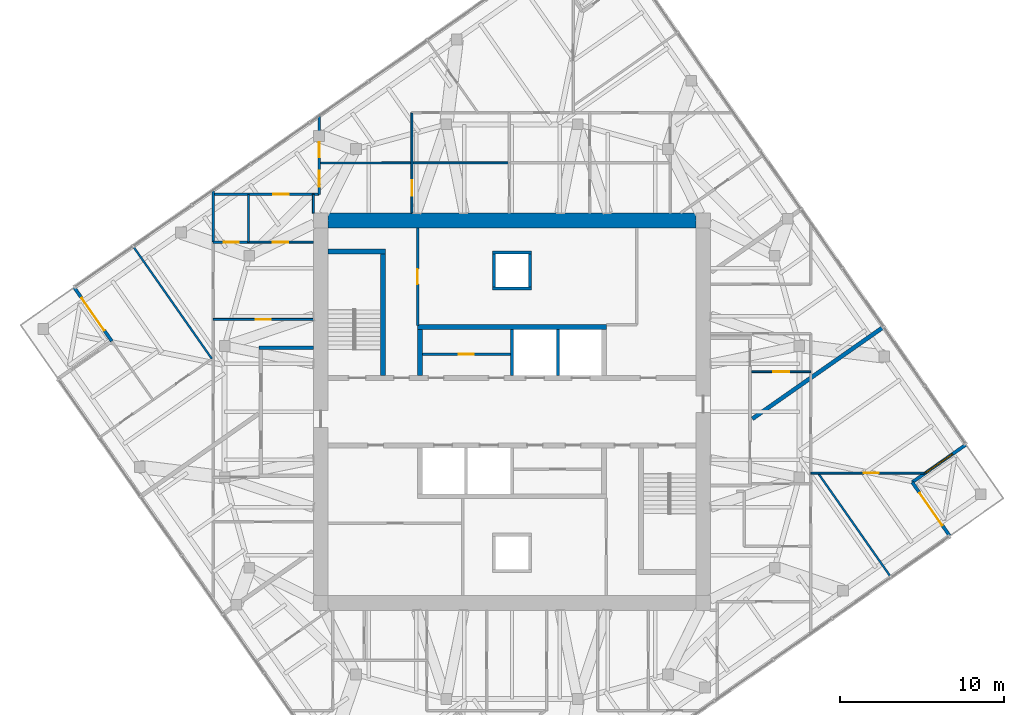
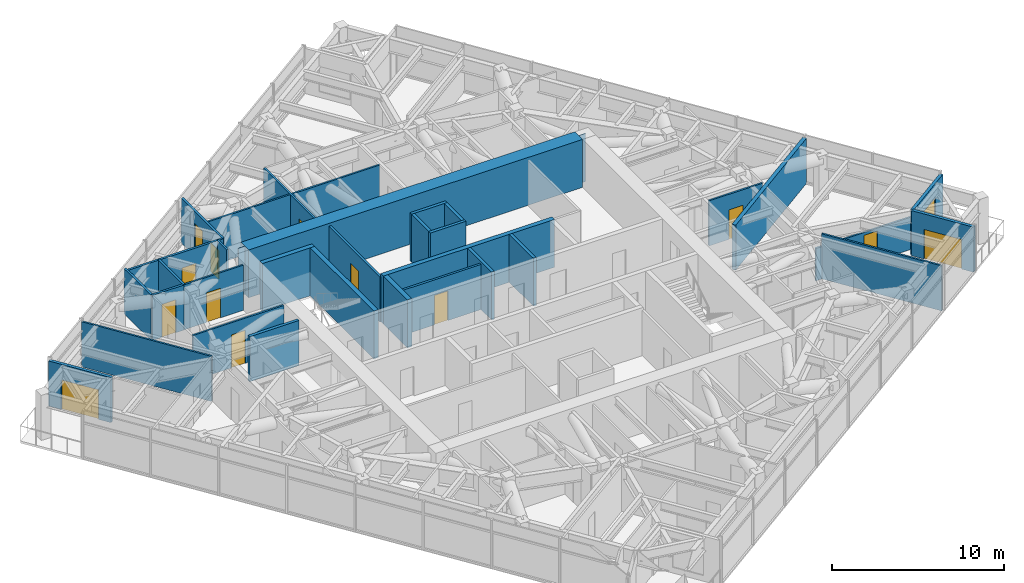
# One storey, part 12 of 15: 32 walls, 13 doors, 1 window, 14 openings.
"""IFC4 building model written with IfcOpenShell, lengths in metres."""

import ifcopenshell
import ifcopenshell.guid

model = None  # the IFC model being written
_history = None  # IfcOwnerHistory: only IFC2X3 demands one
_inside = {}  # id of a spatial element -> (the spatial element, [elements in it])
_under = {}  # id of a project, library or spatial element -> (it, [spatial elements below it])
_declared = {}  # id of a project -> (the project, [libraries it declares])
_typed = {}  # id of a type object -> (the type object, [elements of that type])
_made_of = {}  # id of a material, layer set ... -> (it, [elements and type objects made of it])


def new_model(schema):
    """Start an empty IFC model of exactly this schema.

    Asked for "IFC4X3", IfcOpenShell would pick the latest addendum, in which some entities
    have other attributes; the version numbers below select the first issue.
    IFC2X3 requires an IfcOwnerHistory on every rooted entity: one is made here for all.
    """
    global model, _history
    if schema == "IFC4X3":
        model = ifcopenshell.file(schema_version=(4, 3, 0, 0))
    else:
        model = ifcopenshell.file(schema=schema)
    _inside.clear()
    _under.clear()
    _declared.clear()
    _typed.clear()
    _made_of.clear()
    _history = None
    if model.schema == "IFC2X3":
        org = make("IfcOrganization", Name="unknown")
        user = make(
            "IfcPersonAndOrganization",
            ThePerson=make("IfcPerson", FamilyName="unknown"),
            TheOrganization=org,
        )
        app = make(
            "IfcApplication",
            ApplicationDeveloper=org,
            Version="unknown",
            ApplicationFullName="unknown",
            ApplicationIdentifier="unknown",
        )
        _history = make(
            "IfcOwnerHistory",
            OwningUser=user,
            OwningApplication=app,
            ChangeAction="ADDED",
            CreationDate=0,
        )
    return model


def make(cls, **values):
    """One entity of the class cls with the attributes given. An attribute that is None is left unset."""
    return model.create_entity(
        cls, **{name: value for name, value in values.items() if value is not None}
    )


def rooted(cls, **values):
    """An entity with a GlobalId (a new one), such as an element, a storey or a relation."""
    return make(cls, GlobalId=ifcopenshell.guid.new(), OwnerHistory=_history, **values)


def si_unit(unit_type, name, prefix=None):
    """IfcSIUnit, for example si_unit("LENGTHUNIT", "METRE", prefix="MILLI")."""
    return make("IfcSIUnit", UnitType=unit_type, Prefix=prefix, Name=name)


def assignment(units):
    """IfcUnitAssignment: the units of a project."""
    return None if units is None else make("IfcUnitAssignment", Units=units)


def point(xyz):
    """IfcCartesianPoint."""
    return None if xyz is None else make("IfcCartesianPoint", Coordinates=xyz)


def direction(xyz):
    """IfcDirection."""
    return None if xyz is None else make("IfcDirection", DirectionRatios=xyz)


def frame(location, z_axis=None, x_axis=None):
    """IfcAxis2Placement3D, a coordinate frame: its origin and axes. An axis left out is left unset."""
    return make(
        "IfcAxis2Placement3D",
        Location=point(location),
        Axis=direction(z_axis),
        RefDirection=direction(x_axis),
    )


def frame_2d(location, x_axis=None):
    """IfcAxis2Placement2D, a coordinate frame in the plane: its origin and x axis."""
    return make(
        "IfcAxis2Placement2D", Location=point(location), RefDirection=direction(x_axis)
    )


def origin():
    """The frame at (0, 0, 0) with its axes left unset."""
    return frame((0.0, 0.0, 0.0))


def place(relative_to, where):
    """IfcLocalPlacement: puts the frame where relative to a parent placement (None: the world)."""
    return make(
        "IfcLocalPlacement", PlacementRelTo=relative_to, RelativePlacement=where
    )


def context(
    kind, dimensions, precision=None, world=None, true_north=None, identifier=None
):
    """IfcGeometricRepresentationContext, for example the 3D "Model" context."""
    return make(
        "IfcGeometricRepresentationContext",
        ContextIdentifier=identifier,
        ContextType=kind,
        CoordinateSpaceDimension=dimensions,
        Precision=precision,
        WorldCoordinateSystem=world,
        TrueNorth=true_north,
    )


def subcontext(parent, identifier, kind, view, scale=None):
    """IfcGeometricRepresentationSubContext, for example "Body" below "Model"."""
    return make(
        "IfcGeometricRepresentationSubContext",
        ContextIdentifier=identifier,
        ContextType=kind,
        ParentContext=parent,
        TargetScale=scale,
        TargetView=view,
    )


def project(units=None, contexts=None):
    """IfcProject with its units and contexts."""
    return rooted(
        "IfcProject",
        Name="project",
        RepresentationContexts=contexts,
        UnitsInContext=assignment(units),
    )


def spatial(cls, under=None, at=None, **own):
    """A site, building, storey or space (cls), placed at a placement, below another one or the project."""
    s = rooted(cls, ObjectPlacement=at, **own)
    if under is not None:
        _under.setdefault(under.id(), (under, []))[1].append(s)
    return s


def polyline(points):
    """IfcPolyline through the points."""
    return make("IfcPolyline", Points=[point(p) for p in points])


def profile(cls, at=None, kind="AREA", **sizes):
    """A parametric profile (cls). Its sizes go by their IFC names, for example OverallWidth=200.0."""
    return make(cls, ProfileType=kind, Position=at, **sizes)


def rectangle(**sizes):
    """IfcRectangleProfileDef."""
    return profile("IfcRectangleProfileDef", **sizes)


def outline(outer, holes=None, kind="AREA"):
    """IfcArbitraryClosedProfileDef: a profile drawn as a closed curve; with holes, ...WithVoids."""
    if holes is None:
        return make("IfcArbitraryClosedProfileDef", ProfileType=kind, OuterCurve=outer)
    return make(
        "IfcArbitraryProfileDefWithVoids",
        ProfileType=kind,
        OuterCurve=outer,
        InnerCurves=holes,
    )


def extrude(swept, where, along, depth):
    """IfcExtrudedAreaSolid: the profile swept, set in the frame where, extruded along a direction by depth."""
    return make(
        "IfcExtrudedAreaSolid",
        SweptArea=swept,
        Position=where,
        ExtrudedDirection=direction(along),
        Depth=depth,
    )


def shape(context_of_items, identifier, shape_type, items):
    """IfcShapeRepresentation: the items that make up one representation, for example the "Body"."""
    return make(
        "IfcShapeRepresentation",
        ContextOfItems=context_of_items,
        RepresentationIdentifier=identifier,
        RepresentationType=shape_type,
        Items=items,
    )


def material(Name=None, Category=None):
    """IfcMaterial."""
    return make("IfcMaterial", Name=Name, Category=Category)


def layer(
    of_material, thickness, ventilated=None, Name=None, Category=None, Priority=None
):
    """IfcMaterialLayer: one layer of a wall or slab, of a material (None: an air gap)."""
    return make(
        "IfcMaterialLayer",
        Material=of_material,
        LayerThickness=thickness,
        IsVentilated=ventilated,
        Name=Name,
        Category=Category,
        Priority=Priority,
    )


def layer_set(layers, Name=None):
    """IfcMaterialLayerSet."""
    return make("IfcMaterialLayerSet", MaterialLayers=layers, LayerSetName=Name)


def made_of(thing, what):
    """Note that an element or type object is made of a material, layer set ...; save() writes the relation."""
    if what is not None:
        _made_of.setdefault(what.id(), (what, []))[1].append(thing)
    return thing


def type_object(cls, material=None, **own):
    """A type object (cls), such as IfcWallType, which elements share."""
    return made_of(rooted(cls, **own), material)


def element(
    cls,
    number,
    at=None,
    inside=None,
    cuts=None,
    type_object=None,
    material=None,
    context=None,
    identifier="Body",
    shape_type=None,
    held_by="IfcProductDefinitionShape",
    body=None,
    shapes=None,
    **own,
):
    """One element of the class cls, such as IfcWall. Its Tag is "e" and its number.

    at: its placement. inside: the storey or other place that contains it. cuts: it is an
    opening in that element (IfcRelVoidsElement). A single representation is given by context,
    identifier, shape_type and body (its items); several are given by shapes. held_by: the class
    of the entity that holds the representations. save() writes the other relations.
    """
    e = rooted(cls, Tag="e%d" % number, ObjectPlacement=at, **own)
    if body is not None:
        shapes = [shape(context, identifier, shape_type, body)]
    if shapes is not None:
        e.Representation = make(held_by, Representations=shapes)
    if inside is not None:
        _inside.setdefault(inside.id(), (inside, []))[1].append(e)
    if cuts is not None:
        rooted(
            "IfcRelVoidsElement", RelatingBuildingElement=cuts, RelatedOpeningElement=e
        )
    if type_object is not None:
        _typed.setdefault(type_object.id(), (type_object, []))[1].append(e)
    return made_of(e, material)


def fill(opening, filler):
    """IfcRelFillsElement: the door or window that sits in an opening."""
    return rooted(
        "IfcRelFillsElement",
        RelatingOpeningElement=opening,
        RelatedBuildingElement=filler,
    )


def aggregate(whole, parts):
    """IfcRelAggregates: a whole, such as a stair, and the parts it consists of."""
    return rooted("IfcRelAggregates", RelatingObject=whole, RelatedObjects=parts)


def save(model, path):
    """Write the relations noted so far, then the file.

    IfcRelAggregates (storeys below a building ...), IfcRelContainedInSpatialStructure (elements
    in a storey), IfcRelDefinesByType, IfcRelAssociatesMaterial and IfcRelDeclares: one each for
    every whole, place, type object, material and project.
    """
    for whole, parts in _under.values():
        aggregate(whole, parts)
    for where, things in _inside.values():
        rooted(
            "IfcRelContainedInSpatialStructure",
            RelatedElements=things,
            RelatingStructure=where,
        )
    for kind, things in _typed.values():
        rooted("IfcRelDefinesByType", RelatedObjects=things, RelatingType=kind)
    for what, things in _made_of.values():
        rooted("IfcRelAssociatesMaterial", RelatedObjects=things, RelatingMaterial=what)
    for by, libraries in _declared.values():
        rooted("IfcRelDeclares", RelatingContext=by, RelatedDefinitions=libraries)
    model.write(path)


model = new_model("IFC4")

# Units and contexts
model_context = context("Model", 3, precision=1e-05, world=origin(), true_north=direction((0.0, 1.0)))
body_context = subcontext(model_context, "Body", "Model", "MODEL_VIEW")
ifc_project = project(units=[si_unit("LENGTHUNIT", "METRE"), si_unit("AREAUNIT", "SQUARE_METRE"), si_unit("VOLUMEUNIT", "CUBIC_METRE"), si_unit("PLANEANGLEUNIT", "RADIAN"), si_unit("MASSUNIT", "GRAM", prefix="KILO")], contexts=[model_context])

# Site, building, storey
site_placement = place(None, origin())
site = spatial("IfcSite", under=ifc_project, at=site_placement, CompositionType="ELEMENT")
building_placement = place(site_placement, origin())
building = spatial("IfcBuilding", under=site, at=building_placement, Name="Torsade Residences", CompositionType="ELEMENT")
storey_placement = place(building_placement, frame((0.0, 0.0, 264.199951171875)))
storey = spatial("IfcBuildingStorey", under=building, at=storey_placement, Name="L73", CompositionType="ELEMENT", Elevation=264.199951171875)

# Walls
ifc_material_1 = material(Name="Concrete 80 MPa", Category="concrete")
ifc_layer_1 = layer(ifc_material_1, 0.300048828125)
ifc_layer_set_1 = layer_set([ifc_layer_1], Name="Concrete 80 MPa")
wall_type_1 = type_object("IfcWallType", Name="CORE INTERNAL WALL 300", PredefinedType="SHEAR", material=ifc_layer_set_1)
wall_1_placement = place(storey_placement, frame((34.25, 35.14990234375, 0.0), z_axis=(0.0, 0.0, 1.0), x_axis=(1.0, 0.0, 0.0)))
element("IfcWall", 1, at=wall_1_placement, inside=storey, type_object=wall_type_1, Name="Core wall BN L73", PredefinedType="SHEAR", context=body_context, shape_type="SweptSolid", body=[
    extrude(rectangle(XDim=11.5, YDim=0.300048828125, at=frame_2d((5.75, 0.0))), origin(), (0.0, 0.0, 1.0), 3.400146484375),
])
wall_2_placement = place(storey_placement, frame((34.39990234375, 32.199951171875, 0.0), z_axis=(0.0, 0.0, 1.0), x_axis=(0.0, 1.0, 0.0)))
element("IfcWall", 2, at=wall_2_placement, inside=storey, type_object=wall_type_1, Name="Core wall DN0 L73", PredefinedType="SHEAR", context=body_context, shape_type="SweptSolid", body=[
    extrude(rectangle(XDim=2.800048828125, YDim=0.300048828125, at=frame_2d((1.39990234375, 0.0))), origin(), (0.0, 0.0, 1.0), 3.400146484375),
])
wall_3_placement = place(storey_placement, frame((32.14990234375, 32.199951171875, 0.0), z_axis=(0.0, 0.0, 1.0), x_axis=(0.0, 1.0, 0.0)))
element("IfcWall", 3, at=wall_3_placement, inside=storey, type_object=wall_type_1, Name="Core wall ST1E L73", PredefinedType="SHEAR", context=body_context, shape_type="SweptSolid", body=[
    extrude(rectangle(XDim=7.699951171875, YDim=0.300048828125, at=frame_2d((3.85009765625, 0.0))), origin(), (0.0, 0.0, 1.0), 3.400146484375),
])
wall_4_placement = place(storey_placement, frame((28.800048828125, 39.75, 0.0), z_axis=(0.0, 0.0, 1.0), x_axis=(1.0, 0.0, 0.0)))
element("IfcWall", 4, at=wall_4_placement, inside=storey, type_object=wall_type_1, Name="Core wall ST1N L73", PredefinedType="SHEAR", context=body_context, shape_type="SweptSolid", body=[
    extrude(rectangle(XDim=3.5, YDim=0.300048828125, at=frame_2d((1.75, 0.0))), origin(), (0.0, 0.0, 1.0), 3.400146484375),
])
ifc_material_2 = material(Name="Concrete 80 MPa", Category="concrete")
ifc_layer_2 = layer(ifc_material_2, 0.89990234375)
ifc_layer_set_2 = layer_set([ifc_layer_2], Name="Concrete 80 MPa")
wall_type_2 = type_object("IfcWallType", Name="CORE WALL 900", PredefinedType="SHEAR", material=ifc_layer_set_2)
wall_5_placement = place(storey_placement, frame((28.800048828125, 41.64990234375, 0.0), z_axis=(0.0, 0.0, 1.0), x_axis=(1.0, 0.0, 0.0)))
element("IfcWall", 5, at=wall_5_placement, inside=storey, type_object=wall_type_2, Name="Core wall N L73", PredefinedType="SHEAR", context=body_context, shape_type="SweptSolid", body=[
    extrude(outline(polyline([(0.0, -0.449951171875), (22.39990234375, -0.449951171875), (22.39990234375, -0.02490234375), (22.849853515625, -0.02490234375), (22.849853515625, 0.02490234375), (22.39990234375, 0.02490234375), (22.39990234375, 0.449951171875), (0.0, 0.449951171875), (0.0, 0.02490234375), (-0.449951171875, 0.02490234375), (-0.449951171875, -0.02490234375), (0.0, -0.02490234375), (0.0, -0.449951171875)])), origin(), (0.0, 0.0, 1.0), 3.400146484375),
])
ifc_material_3 = material(Name="Plasterboard on steel stud", Category="steel")
ifc_layer_3 = layer(ifc_material_3, 0.199951171875)
ifc_layer_set_3 = layer_set([ifc_layer_3], Name="Plasterboard on steel stud")
wall_type_3 = type_object("IfcWallType", Name="CORRIDOR WALL 200", PredefinedType="PARTITIONING", material=ifc_layer_set_3)
wall_6_placement = place(storey_placement, frame((27.89990234375, 33.89990234375, 0.0), z_axis=(0.0, 0.0, 1.0), x_axis=(-1.0, 0.0, 0.0)))
element("IfcWall", 6, at=wall_6_placement, inside=storey, type_object=wall_type_3, Name="Corridor wall L73", PredefinedType="PARTITIONING", context=body_context, shape_type="SweptSolid", body=[
    extrude(rectangle(XDim=3.2998046875, YDim=0.199951171875, at=frame_2d((1.64990234375, 0.0))), origin(), (0.0, 0.0, 1.0), 3.199951171875),
])
ifc_material_4 = material(Name="Reinforced blockwork", Category="masonry")
ifc_layer_4 = layer(ifc_material_4, 0.199951171875)
ifc_layer_set_4 = layer_set([ifc_layer_4], Name="Reinforced blockwork")
wall_type_4 = type_object("IfcWallType", Name="LIFT SHAFT DIVIDING WALL 200", PredefinedType="SOLIDWALL", material=ifc_layer_set_4)
for number, where, z_axis, x_axis, name in (
    (7, (40.0, 32.199951171875, 0.0), (0.0, 0.0, 1.0), (0.0, 1.0, 0.0), "Core wall DN2 L73"),
    (8, (42.800048828125, 32.199951171875, 0.0), (0.0, 0.0, 1.0), (0.0, 1.0, 0.0), "Core wall DN3 L73"),
):
    element("IfcWall", number, at=place(storey_placement, frame(where, z_axis=z_axis, x_axis=x_axis)), inside=storey, type_object=wall_type_4, Name=name, PredefinedType="SOLIDWALL", context=body_context, shape_type="SweptSolid", body=[
        extrude(rectangle(XDim=2.800048828125, YDim=0.199951171875, at=frame_2d((1.39990234375, 0.0))), origin(), (0.0, 0.0, 1.0), 3.400146484375),
    ])

# Wall, opening, door
ifc_material_5 = material(Name="Plasterboard on steel stud", Category="steel")
ifc_layer_5 = layer(ifc_material_5, 0.1201171875)
ifc_layer_set_5 = layer_set([ifc_layer_5], Name="Plasterboard on steel stud")
wall_type_5 = type_object("IfcWallType", Name="PARTITION 120", PredefinedType="PARTITIONING", material=ifc_layer_set_5)
wall_7_placement = place(storey_placement, frame((65.106201171875, 26.264892578125, 0.0), z_axis=(0.0, 0.0, 1.0), x_axis=(-1.0, 0.0, 0.0)))
wall_7 = element("IfcWall", 9, at=wall_7_placement, inside=storey, type_object=wall_type_5, Name="Partition L73", PredefinedType="PARTITIONING", context=body_context, shape_type="SweptSolid", body=[
    extrude(rectangle(XDim=6.90625, YDim=0.1201171875, at=frame_2d((3.453125, 0.0))), origin(), (0.0, 0.0, 1.0), 2.300048828125),
])
opening_1_placement = place(wall_7_placement, frame((2.769775390625, 0.0, 0.0)))
opening_1 = element("IfcOpeningElement", 10, at=opening_1_placement, cuts=wall_7, Name="Opening D02L", PredefinedType="OPENING", context=body_context, shape_type="SweptSolid", body=[
    extrude(rectangle(XDim=0.919921875, YDim=2.10009765625, at=frame_2d((0.4599609375, 1.050048828125))), frame((0.0, 0.070068359375, 0.0), z_axis=(0.0, -1.0, 0.0), x_axis=(1.0, 0.0, 0.0)), (0.0, 0.0, 1.0), 0.14013671875),
])
ifc_material_6 = material(Name="Hollow-core timber door", Category="wood")
door_type_1 = type_object("IfcDoorType", Name="INTERNAL DOOR 920x2100", OperationType="NOTDEFINED", PredefinedType="DOOR", material=ifc_material_6)
door_1_placement = place(opening_1_placement, origin())
door_1 = element("IfcDoor", 11, at=door_1_placement, inside=storey, type_object=door_type_1, Name="Door Living room to Bedroom 3", OperationType="SINGLE_SWING_RIGHT", OverallHeight=2.10009765625, OverallWidth=0.919921875, PredefinedType="DOOR", context=body_context, shape_type="SweptSolid", body=[
    extrude(rectangle(XDim=0.919921875, YDim=2.10009765625, at=frame_2d((0.4599609375, 1.050048828125))), frame((0.0, 0.02490234375, 0.0), z_axis=(0.0, -1.0, 0.0), x_axis=(1.0, 0.0, 0.0)), (0.0, 0.0, 1.0), 0.050048828125),
])
fill(opening_1, door_1)

# Wall
wall_8_placement = place(storey_placement, frame((63.060302734375, 19.94921875, 0.0), z_axis=(0.0, 0.0, 1.0), x_axis=(-0.573562225439, 0.819161994693, 0.0)))
element("IfcWall", 12, at=wall_8_placement, inside=storey, type_object=wall_type_5, Name="Partition L73", PredefinedType="PARTITIONING", context=body_context, shape_type="SweptSolid", body=[
    extrude(rectangle(XDim=7.7099609375, YDim=0.1201171875, at=frame_2d((3.85498046875, 0.0))), origin(), (0.0, 0.0, 1.0), 3.199951171875),
])

# Wall, opening, door
wall_9_placement = place(storey_placement, frame((58.199951171875, 32.434326171875, 0.0), z_axis=(0.0, 0.0, 1.0), x_axis=(-1.0, 0.0, 0.0)))
wall_9 = element("IfcWall", 13, at=wall_9_placement, inside=storey, type_object=wall_type_5, Name="Partition L73", PredefinedType="PARTITIONING", context=body_context, shape_type="SweptSolid", body=[
    extrude(rectangle(XDim=3.599853515625, YDim=0.1201171875, at=frame_2d((1.7998046875, 0.0))), origin(), (0.0, 0.0, 1.0), 3.199951171875),
])
opening_2_placement = place(wall_9_placement, frame((1.320068359375, 0.0, 0.0)))
opening_2 = element("IfcOpeningElement", 14, at=opening_2_placement, cuts=wall_9, Name="Opening D05", PredefinedType="OPENING", context=body_context, shape_type="SweptSolid", body=[
    extrude(rectangle(XDim=0.9599609375, YDim=2.10009765625, at=frame_2d((0.47998046875, 1.050048828125))), frame((0.0, 0.070068359375, 0.0), z_axis=(0.0, -1.0, 0.0), x_axis=(1.0, 0.0, 0.0)), (0.0, 0.0, 1.0), 0.14013671875),
])
ifc_material_7 = material(Name="Hollow-core timber door in a steel cavity frame", Category="steel")
door_type_2 = type_object("IfcDoorType", Name="BATHROOM CAVITY SLIDING DOOR 960", OperationType="SLIDING_TO_LEFT", PredefinedType="DOOR", material=ifc_material_7)
door_2_placement = place(opening_2_placement, origin())
door_2 = element("IfcDoor", 15, at=door_2_placement, inside=storey, type_object=door_type_2, Name="Door Kitchen and dining to Bathroom", OperationType="SLIDING_TO_LEFT", OverallHeight=2.10009765625, OverallWidth=0.9599609375, PredefinedType="DOOR", context=body_context, shape_type="SweptSolid", body=[
    extrude(rectangle(XDim=0.9599609375, YDim=2.10009765625, at=frame_2d((0.47998046875, 1.050048828125))), frame((0.0, 0.02490234375, 0.0), z_axis=(0.0, -1.0, 0.0), x_axis=(1.0, 0.0, 0.0)), (0.0, 0.0, 1.0), 0.050048828125),
])
fill(opening_2, door_2)

wall_10_placement = place(storey_placement, frame((21.800048828125, 35.619140625, 0.0), z_axis=(0.0, 0.0, 1.0), x_axis=(1.0, 0.0, 0.0)))
wall_10 = element("IfcWall", 16, at=wall_10_placement, inside=storey, type_object=wall_type_5, Name="Partition L73", PredefinedType="PARTITIONING", context=body_context, shape_type="SweptSolid", body=[
    extrude(rectangle(XDim=6.099853515625, YDim=0.1201171875, at=frame_2d((3.0498046875, 0.0))), origin(), (0.0, 0.0, 1.0), 3.199951171875),
])
opening_3_placement = place(wall_10_placement, frame((2.590087890625, 0.0, 0.0)))
opening_3 = element("IfcOpeningElement", 17, at=opening_3_placement, cuts=wall_10, Name="Opening D02", PredefinedType="OPENING", context=body_context, shape_type="SweptSolid", body=[
    extrude(rectangle(XDim=0.919921875, YDim=2.340087890625, at=frame_2d((0.4599609375, 1.169921875))), frame((0.0, 0.070068359375, 0.0), z_axis=(0.0, -1.0, 0.0), x_axis=(1.0, 0.0, 0.0)), (0.0, 0.0, 1.0), 0.14013671875),
])
ifc_material_8 = material(Name="Hollow-core timber door", Category="wood")
door_type_3 = type_object("IfcDoorType", Name="INTERNAL DOOR 920x2340", OperationType="NOTDEFINED", PredefinedType="DOOR", material=ifc_material_8)
door_3_placement = place(opening_3_placement, origin())
door_3 = element("IfcDoor", 18, at=door_3_placement, inside=storey, type_object=door_type_3, Name="Door Kitchen and dining to Scullery", OperationType="SINGLE_SWING_LEFT", OverallHeight=2.340087890625, OverallWidth=0.919921875, PredefinedType="DOOR", context=body_context, shape_type="SweptSolid", body=[
    extrude(rectangle(XDim=0.919921875, YDim=2.340087890625, at=frame_2d((0.4599609375, 1.169921875))), frame((0.0, 0.02490234375, 0.0), z_axis=(0.0, -1.0, 0.0), x_axis=(1.0, 0.0, 0.0)), (0.0, 0.0, 1.0), 0.050048828125),
])
fill(opening_3, door_3)

wall_11_placement = place(storey_placement, frame((23.901611328125, 40.328125, 0.0), z_axis=(0.0, 0.0, 1.0), x_axis=(1.0, 0.0, 0.0)))
wall_11 = element("IfcWall", 19, at=wall_11_placement, inside=storey, type_object=wall_type_5, Name="Partition L73", PredefinedType="PARTITIONING", context=body_context, shape_type="SweptSolid", body=[
    extrude(rectangle(XDim=3.998291015625, YDim=0.1201171875, at=frame_2d((1.9990234375, 0.0))), origin(), (0.0, 0.0, 1.0), 3.199951171875),
])
opening_4_placement = place(wall_11_placement, frame((1.51904296875, 0.0, 0.0)))
opening_4 = element("IfcOpeningElement", 20, at=opening_4_placement, cuts=wall_11, Name="Opening D05", PredefinedType="OPENING", context=body_context, shape_type="SweptSolid", body=[
    extrude(rectangle(XDim=0.9599609375, YDim=2.10009765625, at=frame_2d((0.47998046875, 1.050048828125))), frame((0.0, 0.070068359375, 0.0), z_axis=(0.0, -1.0, 0.0), x_axis=(1.0, 0.0, 0.0)), (0.0, 0.0, 1.0), 0.14013671875),
])
door_4_placement = place(opening_4_placement, origin())
door_4 = element("IfcDoor", 21, at=door_4_placement, inside=storey, type_object=door_type_2, Name="Door Scullery to WC", OperationType="SLIDING_TO_LEFT", OverallHeight=2.10009765625, OverallWidth=0.9599609375, PredefinedType="DOOR", context=body_context, shape_type="SweptSolid", body=[
    extrude(rectangle(XDim=0.9599609375, YDim=2.10009765625, at=frame_2d((0.47998046875, 1.050048828125))), frame((0.0, 0.02490234375, 0.0), z_axis=(0.0, -1.0, 0.0), x_axis=(1.0, 0.0, 0.0)), (0.0, 0.0, 1.0), 0.050048828125),
])
fill(opening_4, door_4)

# Wall
wall_12_placement = place(storey_placement, frame((27.89990234375, 42.10009765625, 0.0), z_axis=(0.0, 0.0, 1.0), x_axis=(0.0, 1.0, 0.0)))
element("IfcWall", 22, at=wall_12_placement, inside=storey, type_object=wall_type_5, Name="Partition L73", PredefinedType="PARTITIONING", context=body_context, shape_type="SweptSolid", body=[
    extrude(rectangle(XDim=1.13818359375, YDim=0.1201171875, at=frame_2d((0.569091796875, 0.0))), origin(), (0.0, 0.0, 1.0), 3.199951171875),
])

# Wall, opening, door
wall_13_placement = place(storey_placement, frame((33.906982421875, 48.199951171875, 0.0), z_axis=(0.0, 0.0, 1.0), x_axis=(0.0, -1.0, 0.0)))
wall_13 = element("IfcWall", 23, at=wall_13_placement, inside=storey, type_object=wall_type_5, Name="Partition L73", PredefinedType="PARTITIONING", context=body_context, shape_type="SweptSolid", body=[
    extrude(rectangle(XDim=6.099853515625, YDim=0.1201171875, at=frame_2d((3.0498046875, 0.0))), origin(), (0.0, 0.0, 1.0), 3.199951171875),
])
opening_5_placement = place(wall_13_placement, frame((4.095947265625, 0.0, 0.0)))
opening_5 = element("IfcOpeningElement", 24, at=opening_5_placement, cuts=wall_13, Name="Opening D05", PredefinedType="OPENING", context=body_context, shape_type="SweptSolid", body=[
    extrude(rectangle(XDim=0.9599609375, YDim=2.10009765625, at=frame_2d((0.47998046875, 1.050048828125))), frame((0.0, 0.070068359375, 0.0), z_axis=(0.0, -1.0, 0.0), x_axis=(1.0, 0.0, 0.0)), (0.0, 0.0, 1.0), 0.14013671875),
])
door_5_placement = place(opening_5_placement, origin())
door_5 = element("IfcDoor", 25, at=door_5_placement, inside=storey, type_object=door_type_2, Name="Door Bathroom to Dressing room 2", OperationType="SLIDING_TO_LEFT", OverallHeight=2.10009765625, OverallWidth=0.9599609375, PredefinedType="DOOR", context=body_context, shape_type="SweptSolid", body=[
    extrude(rectangle(XDim=0.9599609375, YDim=2.10009765625, at=frame_2d((0.47998046875, 1.050048828125))), frame((0.0, 0.02490234375, 0.0), z_axis=(0.0, -1.0, 0.0), x_axis=(1.0, 0.0, 0.0)), (0.0, 0.0, 1.0), 0.050048828125),
])
fill(opening_5, door_5)

# Walls
wall_14_placement = place(storey_placement, frame((28.255126953125, 45.148193359375, 0.0), z_axis=(0.0, 0.0, 1.0), x_axis=(0.99999998913, 0.000147442917, 0.0)))
element("IfcWall", 26, at=wall_14_placement, inside=storey, type_object=wall_type_5, Name="Partition L73", PredefinedType="PARTITIONING", context=body_context, shape_type="SweptSolid", body=[
    extrude(rectangle(XDim=11.5908203125, YDim=0.1201171875, at=frame_2d((5.79541015625, 0.0))), origin(), (0.0, 0.0, 1.0), 3.199951171875),
])
wall_15_placement = place(storey_placement, frame((16.939697265625, 40.05078125, 0.0), z_axis=(0.0, 0.0, 1.0), x_axis=(0.573576357466, -0.819152099525, 0.0)))
element("IfcWall", 27, at=wall_15_placement, inside=storey, type_object=wall_type_5, Name="Partition L73", PredefinedType="PARTITIONING", context=body_context, shape_type="SweptSolid", body=[
    extrude(rectangle(XDim=8.3349609375, YDim=0.1201171875, at=frame_2d((4.16748046875, 0.0))), origin(), (0.0, 0.0, 1.0), 3.199951171875),
])
ifc_material_9 = material(Name="Masonry-lined stud party wall", Category="masonry")
ifc_layer_6 = layer(ifc_material_9, 0.25)
ifc_layer_set_6 = layer_set([ifc_layer_6], Name="Masonry-lined stud party wall")
wall_type_6 = type_object("IfcWallType", Name="PARTY WALL 250", PredefinedType="PARTITIONING", material=ifc_layer_set_6)
wall_16_placement = place(storey_placement, frame((62.630615234375, 35.164306640625, 0.0), z_axis=(0.0, 0.0, 1.0), x_axis=(-0.81915902312, -0.573566469418, 0.0)))
element("IfcWall", 28, at=wall_16_placement, inside=storey, type_object=wall_type_6, Name="Party wall L73", PredefinedType="PARTITIONING", context=body_context, shape_type="SweptSolid", body=[
    extrude(rectangle(XDim=9.755859375, YDim=0.25, at=frame_2d((4.8779296875, 0.0))), origin(), (0.0, 0.0, 1.0), 3.199951171875),
])
ifc_material_10 = material(Name="Reinforced blockwork", Category="masonry")
ifc_layer_7 = layer(ifc_material_10, 0.199951171875)
ifc_layer_set_7 = layer_set([ifc_layer_7], Name="Reinforced blockwork")
wall_type_7 = type_object("IfcWallType", Name="RISER SHAFT WALL 200", PredefinedType="SOLIDWALL", material=ifc_layer_set_7)
for number, where, z_axis, x_axis, name in (
    (29, (38.89990234375, 37.60009765625, 0.0), (0.0, 0.0, 1.0), (0.0, 1.0, 0.0), "Core wall RS1a L73"),
    (30, (41.10009765625, 37.60009765625, 0.0), (0.0, 0.0, 1.0), (0.0, 1.0, 0.0), "Core wall RS1b L73"),
):
    element("IfcWall", number, at=place(storey_placement, frame(where, z_axis=z_axis, x_axis=x_axis)), inside=storey, type_object=wall_type_7, Name=name, PredefinedType="SOLIDWALL", context=body_context, shape_type="SweptSolid", body=[
        extrude(rectangle(XDim=2.0, YDim=0.199951171875, at=frame_2d((1.0, 0.0))), origin(), (0.0, 0.0, 1.0), 3.400146484375),
    ])
for number, where, z_axis, x_axis, name in (
    (31, (38.800048828125, 37.5, 0.0), (0.0, 0.0, 1.0), (1.0, 0.0, 0.0), "Core wall RS1c L73"),
    (32, (38.800048828125, 39.699951171875, 0.0), (0.0, 0.0, 1.0), (1.0, 0.0, 0.0), "Core wall RS1d L73"),
):
    element("IfcWall", number, at=place(storey_placement, frame(where, z_axis=z_axis, x_axis=x_axis)), inside=storey, type_object=wall_type_7, Name=name, PredefinedType="SOLIDWALL", context=body_context, shape_type="SweptSolid", body=[
        extrude(rectangle(XDim=2.39990234375, YDim=0.199951171875, at=frame_2d((1.199951171875, 0.0))), origin(), (0.0, 0.0, 1.0), 3.400146484375),
    ])

# Wall, opening, door
ifc_material_11 = material(Name="Reinforced blockwork", Category="masonry")
ifc_layer_8 = layer(ifc_material_11, 0.14990234375)
ifc_layer_set_8 = layer_set([ifc_layer_8], Name="Reinforced blockwork")
wall_type_8 = type_object("IfcWallType", Name="SERVICE ROOM WALL 150", PredefinedType="SOLIDWALL", material=ifc_layer_set_8)
wall_17_placement = place(storey_placement, frame((34.25, 41.199951171875, 0.0), z_axis=(0.0, 0.0, 1.0), x_axis=(0.0, -1.0, 0.0)))
wall_17 = element("IfcWall", 33, at=wall_17_placement, inside=storey, type_object=wall_type_8, Name="Service room wall L73", PredefinedType="SOLIDWALL", context=body_context, shape_type="SweptSolid", body=[
    extrude(rectangle(XDim=5.949951171875, YDim=0.14990234375, at=frame_2d((2.97509765625, 0.0))), origin(), (0.0, 0.0, 1.0), 3.199951171875),
])
opening_6_placement = place(wall_17_placement, frame((2.514892578125, 0.0, 0.0)))
opening_6 = element("IfcOpeningElement", 34, at=opening_6_placement, cuts=wall_17, Name="Opening D06", PredefinedType="OPENING", context=body_context, shape_type="SweptSolid", body=[
    extrude(rectangle(XDim=0.919921875, YDim=2.10009765625, at=frame_2d((0.4599609375, 1.050048828125))), frame((0.0, 0.0849609375, 0.0), z_axis=(0.0, -1.0, 0.0), x_axis=(1.0, 0.0, 0.0)), (0.0, 0.0, 1.0), 0.169921875),
])
ifc_material_12 = material(Name="Steel-framed fire door", Category="steel")
door_type_4 = type_object("IfcDoorType", Name="FIRE DOOR 920", OperationType="NOTDEFINED", PredefinedType="DOOR", material=ifc_material_12)
door_6_placement = place(opening_6_placement, origin())
door_6 = element("IfcDoor", 35, at=door_6_placement, inside=storey, type_object=door_type_4, Name="Door Meter store to Electrical riser room", OperationType="SINGLE_SWING_RIGHT", OverallHeight=2.10009765625, OverallWidth=0.919921875, PredefinedType="DOOR", context=body_context, shape_type="SweptSolid", body=[
    extrude(rectangle(XDim=0.919921875, YDim=2.10009765625, at=frame_2d((0.4599609375, 1.050048828125))), frame((0.0, 0.02490234375, 0.0), z_axis=(0.0, -1.0, 0.0), x_axis=(1.0, 0.0, 0.0)), (0.0, 0.0, 1.0), 0.050048828125),
])
fill(opening_6, door_6)

wall_18_placement = place(storey_placement, frame((21.800048828125, 40.328125, 0.0), z_axis=(0.0, 0.0, 1.0), x_axis=(1.0, 0.0, 0.0)))
wall_18 = element("IfcWall", 36, at=wall_18_placement, inside=storey, type_object=wall_type_8, Name="Service room wall L73", PredefinedType="SOLIDWALL", context=body_context, shape_type="SweptSolid", body=[
    extrude(rectangle(XDim=2.1015625, YDim=0.14990234375, at=frame_2d((1.05078125, 0.0))), origin(), (0.0, 0.0, 1.0), 3.199951171875),
])
opening_7_placement = place(wall_18_placement, frame((0.640869140625, 0.0, 0.0)))
opening_7 = element("IfcOpeningElement", 37, at=opening_7_placement, cuts=wall_18, Name="Opening D02", PredefinedType="OPENING", context=body_context, shape_type="SweptSolid", body=[
    extrude(rectangle(XDim=0.919921875, YDim=2.340087890625, at=frame_2d((0.4599609375, 1.169921875))), frame((0.0, 0.0849609375, 0.0), z_axis=(0.0, -1.0, 0.0), x_axis=(1.0, 0.0, 0.0)), (0.0, 0.0, 1.0), 0.169921875),
])
door_7_placement = place(opening_7_placement, origin())
door_7 = element("IfcDoor", 38, at=door_7_placement, inside=storey, type_object=door_type_3, Name="Door Scullery to Linen store 4", OperationType="SINGLE_SWING_RIGHT", OverallHeight=2.340087890625, OverallWidth=0.919921875, PredefinedType="DOOR", context=body_context, shape_type="SweptSolid", body=[
    extrude(rectangle(XDim=0.919921875, YDim=2.340087890625, at=frame_2d((0.4599609375, 1.169921875))), frame((0.0, 0.02490234375, 0.0), z_axis=(0.0, -1.0, 0.0), x_axis=(1.0, 0.0, 0.0)), (0.0, 0.0, 1.0), 0.050048828125),
])
fill(opening_7, door_7)

wall_19_placement = place(storey_placement, frame((21.800048828125, 43.23828125, 0.0), z_axis=(0.0, 0.0, 1.0), x_axis=(1.0, 0.0, 0.0)))
wall_19 = element("IfcWall", 39, at=wall_19_placement, inside=storey, type_object=wall_type_8, Name="Service room wall L73", PredefinedType="SOLIDWALL", context=body_context, shape_type="SweptSolid", body=[
    extrude(rectangle(XDim=6.455078125, YDim=0.14990234375, at=frame_2d((3.2275390625, 0.0))), origin(), (0.0, 0.0, 1.0), 3.199951171875),
])
opening_8_placement = place(wall_19_placement, frame((3.645751953125, 0.0, 0.0)))
opening_8 = element("IfcOpeningElement", 40, at=opening_8_placement, cuts=wall_19, Name="Opening D05", PredefinedType="OPENING", context=body_context, shape_type="SweptSolid", body=[
    extrude(rectangle(XDim=0.9599609375, YDim=2.10009765625, at=frame_2d((0.47998046875, 1.050048828125))), frame((0.0, 0.0849609375, 0.0), z_axis=(0.0, -1.0, 0.0), x_axis=(1.0, 0.0, 0.0)), (0.0, 0.0, 1.0), 0.169921875),
])
door_8_placement = place(opening_8_placement, origin())
door_8 = element("IfcDoor", 41, at=door_8_placement, inside=storey, type_object=door_type_2, Name="Door WC to Linen store", OperationType="SLIDING_TO_LEFT", OverallHeight=2.10009765625, OverallWidth=0.9599609375, PredefinedType="DOOR", context=body_context, shape_type="SweptSolid", body=[
    extrude(rectangle(XDim=0.9599609375, YDim=2.10009765625, at=frame_2d((0.47998046875, 1.050048828125))), frame((0.0, 0.02490234375, 0.0), z_axis=(0.0, -1.0, 0.0), x_axis=(1.0, 0.0, 0.0)), (0.0, 0.0, 1.0), 0.050048828125),
])
fill(opening_8, door_8)

# Wall, openings, doors
wall_20_placement = place(storey_placement, frame((28.255126953125, 43.23828125, 0.0), z_axis=(0.0, 0.0, 1.0), x_axis=(0.0, 1.0, 0.0)))
wall_20 = element("IfcWall", 42, at=wall_20_placement, inside=storey, type_object=wall_type_8, Name="Service room wall L73", PredefinedType="SOLIDWALL", context=body_context, shape_type="SweptSolid", body=[
    extrude(rectangle(XDim=4.735595703125, YDim=0.14990234375, at=frame_2d((2.36767578125, 0.0))), origin(), (0.0, 0.0, 1.0), 3.199951171875),
])
opening_9_placement = place(wall_20_placement, frame((2.261962890625, 0.0, 0.0)))
opening_9 = element("IfcOpeningElement", 43, at=opening_9_placement, cuts=wall_20, Name="Opening D02", PredefinedType="OPENING", context=body_context, shape_type="SweptSolid", body=[
    extrude(rectangle(XDim=0.919921875, YDim=2.340087890625, at=frame_2d((0.4599609375, 1.169921875))), frame((0.0, 0.0849609375, 0.0), z_axis=(0.0, -1.0, 0.0), x_axis=(1.0, 0.0, 0.0)), (0.0, 0.0, 1.0), 0.169921875),
])
opening_10_placement = place(wall_20_placement, frame((0.474853515625, 0.0, 0.0)))
opening_10 = element("IfcOpeningElement", 44, at=opening_10_placement, cuts=wall_20, Name="Opening D05N", PredefinedType="OPENING", context=body_context, shape_type="SweptSolid", body=[
    extrude(rectangle(XDim=0.9599609375, YDim=2.0, at=frame_2d((0.47998046875, 1.0))), frame((0.0, 0.0849609375, 0.0), z_axis=(0.0, -1.0, 0.0), x_axis=(1.0, 0.0, 0.0)), (0.0, 0.0, 1.0), 0.169921875),
])
ifc_material_13 = material(Name="Hollow-core timber door in a steel cavity frame", Category="steel")
door_type_5 = type_object("IfcDoorType", Name="BATHROOM CAVITY SLIDING DOOR 960x2000", OperationType="SLIDING_TO_LEFT", PredefinedType="DOOR", material=ifc_material_13)
door_9_placement = place(opening_10_placement, origin())
door_9 = element("IfcDoor", 45, at=door_9_placement, inside=storey, type_object=door_type_5, Name="Door Linen store to Bathroom", OperationType="SLIDING_TO_LEFT", OverallHeight=2.0, OverallWidth=0.9599609375, PredefinedType="DOOR", context=body_context, shape_type="SweptSolid", body=[
    extrude(rectangle(XDim=0.9599609375, YDim=2.0, at=frame_2d((0.47998046875, 1.0))), frame((0.0, 0.02490234375, 0.0), z_axis=(0.0, -1.0, 0.0), x_axis=(1.0, 0.0, 0.0)), (0.0, 0.0, 1.0), 0.050048828125),
])
fill(opening_10, door_9)
door_10_placement = place(opening_9_placement, origin())
door_10 = element("IfcDoor", 46, at=door_10_placement, inside=storey, type_object=door_type_3, Name="Door Linen store to Family room", OperationType="SINGLE_SWING_RIGHT", OverallHeight=2.340087890625, OverallWidth=0.919921875, PredefinedType="DOOR", context=body_context, shape_type="SweptSolid", body=[
    extrude(rectangle(XDim=0.919921875, YDim=2.340087890625, at=frame_2d((0.4599609375, 1.169921875))), frame((0.0, 0.02490234375, 0.0), z_axis=(0.0, -1.0, 0.0), x_axis=(1.0, 0.0, 0.0)), (0.0, 0.0, 1.0), 0.050048828125),
])
fill(opening_9, door_10)

# Walls
wall_21_placement = place(storey_placement, frame((23.95166015625, 40.328125, 0.0), z_axis=(0.0, 0.0, 1.0), x_axis=(0.0, 1.0, 0.0)))
element("IfcWall", 47, at=wall_21_placement, inside=storey, type_object=wall_type_8, Name="Service room wall L73", PredefinedType="SOLIDWALL", context=body_context, shape_type="SweptSolid", body=[
    extrude(rectangle(XDim=2.91015625, YDim=0.14990234375, at=frame_2d((1.455078125, 0.0))), origin(), (0.0, 0.0, 1.0), 3.199951171875),
])
wall_22_placement = place(storey_placement, frame((21.800048828125, 40.328125, 0.0), z_axis=(0.0, 0.0, 1.0), x_axis=(0.0, 1.0, 0.0)))
element("IfcWall", 48, at=wall_22_placement, inside=storey, type_object=wall_type_8, Name="Service room wall L73", PredefinedType="SOLIDWALL", context=body_context, shape_type="SweptSolid", body=[
    extrude(rectangle(XDim=3.1259765625, YDim=0.14990234375, at=frame_2d((1.56298828125, 0.0))), origin(), (0.0, 0.0, 1.0), 3.199951171875),
])

# Wall, opening, door
wall_23_placement = place(storey_placement, frame((34.550048828125, 33.5, 0.0), z_axis=(0.0, 0.0, 1.0), x_axis=(1.0, 0.0, 0.0)))
wall_23 = element("IfcWall", 49, at=wall_23_placement, inside=storey, type_object=wall_type_8, Name="Service room wall L73", PredefinedType="SOLIDWALL", context=body_context, shape_type="SweptSolid", body=[
    extrude(rectangle(XDim=5.349853515625, YDim=0.14990234375, at=frame_2d((2.6748046875, 0.0))), origin(), (0.0, 0.0, 1.0), 3.199951171875),
])
opening_11_placement = place(wall_23_placement, frame((2.215087890625, 0.0, 0.0)))
opening_11 = element("IfcOpeningElement", 50, at=opening_11_placement, cuts=wall_23, Name="Opening D06", PredefinedType="OPENING", context=body_context, shape_type="SweptSolid", body=[
    extrude(rectangle(XDim=0.919921875, YDim=2.10009765625, at=frame_2d((0.4599609375, 1.050048828125))), frame((0.0, 0.0849609375, 0.0), z_axis=(0.0, -1.0, 0.0), x_axis=(1.0, 0.0, 0.0)), (0.0, 0.0, 1.0), 0.169921875),
])
door_11_placement = place(opening_11_placement, origin())
door_11 = element("IfcDoor", 51, at=door_11_placement, inside=storey, type_object=door_type_4, Name="Door Parcel room L73A to Records store L73B", OperationType="SINGLE_SWING_RIGHT", OverallHeight=2.10009765625, OverallWidth=0.919921875, PredefinedType="DOOR", context=body_context, shape_type="SweptSolid", body=[
    extrude(rectangle(XDim=0.919921875, YDim=2.10009765625, at=frame_2d((0.4599609375, 1.050048828125))), frame((0.0, 0.02490234375, 0.0), z_axis=(0.0, -1.0, 0.0), x_axis=(1.0, 0.0, 0.0)), (0.0, 0.0, 1.0), 0.050048828125),
])
fill(opening_11, door_11)

ifc_material_14 = material(Name="Stone-faced precast concrete 40 MPa panel", Category="masonry")
ifc_layer_9 = layer(ifc_material_14, 0.199951171875)
ifc_layer_set_9 = layer_set([ifc_layer_9], Name="Stone-faced precast concrete 40 MPa panel")
wall_type_9 = type_object("IfcWallType", Name="TERRACE WALL 200", PredefinedType="SOLIDWALL", material=ifc_layer_set_9)
wall_24_placement = place(storey_placement, frame((66.6669921875, 22.42578125, 0.0), z_axis=(0.0, 0.0, 1.0), x_axis=(-0.573556557423, 0.819165963305, 0.0)))
wall_24 = element("IfcWall", 52, at=wall_24_placement, inside=storey, type_object=wall_type_9, Name="Terrace wall L73 2", PredefinedType="SOLIDWALL", context=body_context, shape_type="SweptSolid", body=[
    extrude(rectangle(XDim=4.0, YDim=0.199951171875, at=frame_2d((2.0, 0.0))), origin(), (0.0, 0.0, 1.0), 3.199951171875),
])
opening_12_placement = place(wall_24_placement, frame((0.800048828125, 0.0, 0.0)))
opening_12 = element("IfcOpeningElement", 53, at=opening_12_placement, cuts=wall_24, Name="Opening D10A", PredefinedType="OPENING", context=body_context, shape_type="SweptSolid", body=[
    extrude(rectangle(XDim=2.39990234375, YDim=2.10009765625, at=frame_2d((1.199951171875, 1.050048828125))), frame((0.0, 0.10986328125, 0.0), z_axis=(0.0, -1.0, 0.0), x_axis=(1.0, 0.0, 0.0)), (0.0, 0.0, 1.0), 0.219970703125),
])
ifc_material_15 = material(Name="Aluminium-framed glass door", Category="aluminium")
door_type_6 = type_object("IfcDoorType", Name="TERRACE SLIDING DOOR 2400x2100", OperationType="SLIDING_TO_LEFT", PredefinedType="DOOR", material=ifc_material_15)
door_12_placement = place(opening_12_placement, origin())
door_12 = element("IfcDoor", 54, at=door_12_placement, inside=storey, type_object=door_type_6, Name="Terrace door L73 2", OperationType="SLIDING_TO_LEFT", OverallHeight=2.10009765625, OverallWidth=2.39990234375, PredefinedType="DOOR", context=body_context, shape_type="SweptSolid", body=[
    extrude(rectangle(XDim=2.39990234375, YDim=2.10009765625, at=frame_2d((1.199951171875, 1.050048828125))), frame((0.0, 0.02490234375, 0.0), z_axis=(0.0, -1.0, 0.0), x_axis=(1.0, 0.0, 0.0)), (0.0, 0.0, 1.0), 0.050048828125),
])
fill(opening_12, door_12)

# Wall, opening, window
wall_25_placement = place(storey_placement, frame((64.372802734375, 25.702392578125, 0.0), z_axis=(0.0, 0.0, 1.0), x_axis=(0.819137286189, 0.573597512525, 0.0)))
wall_25 = element("IfcWall", 55, at=wall_25_placement, inside=storey, type_object=wall_type_9, Name="Terrace wall L73 3", PredefinedType="SOLIDWALL", context=body_context, shape_type="SweptSolid", body=[
    extrude(rectangle(XDim=4.0, YDim=0.199951171875, at=frame_2d((2.0, 0.0))), origin(), (0.0, 0.0, 1.0), 3.199951171875),
])
opening_13_placement = place(wall_25_placement, frame((1.0, 0.0, 0.39990234375)))
opening_13 = element("IfcOpeningElement", 56, at=opening_13_placement, cuts=wall_25, Name="Opening W1B", PredefinedType="OPENING", context=body_context, shape_type="SweptSolid", body=[
    extrude(rectangle(XDim=2.0, YDim=1.800048828125, at=frame_2d((1.0, 0.89990234375))), frame((0.0, 0.10986328125, 0.0), z_axis=(0.0, -1.0, 0.0), x_axis=(1.0, 0.0, 0.0)), (0.0, 0.0, 1.0), 0.219970703125),
])
ifc_material_16 = material(Name="Aluminium-framed glass window", Category="aluminium")
window_type = type_object("IfcWindowType", Name="TERRACE WINDOW 2000x1800", PartitioningType="SINGLE_PANEL", PredefinedType="WINDOW", material=ifc_material_16)
window_placement = place(opening_13_placement, origin())
window = element("IfcWindow", 57, at=window_placement, inside=storey, type_object=window_type, Name="Terrace window L73 3", OverallHeight=1.800048828125, OverallWidth=2.0, PartitioningType="SINGLE_PANEL", PredefinedType="WINDOW", context=body_context, shape_type="SweptSolid", body=[
    extrude(rectangle(XDim=2.0, YDim=1.800048828125, at=frame_2d((1.0, 0.89990234375))), frame((0.0, 0.030029296875, 0.0), z_axis=(0.0, -1.0, 0.0), x_axis=(1.0, 0.0, 0.0)), (0.0, 0.0, 1.0), 0.06005859375),
])
fill(opening_13, window)

# Wall, opening, door
wall_26_placement = place(storey_placement, frame((13.3330078125, 37.57421875, 0.0), z_axis=(0.0, 0.0, 1.0), x_axis=(0.573556557423, -0.819165963305, 0.0)))
wall_26 = element("IfcWall", 58, at=wall_26_placement, inside=storey, type_object=wall_type_9, Name="Terrace wall L73 8", PredefinedType="SOLIDWALL", context=body_context, shape_type="SweptSolid", body=[
    extrude(rectangle(XDim=4.0, YDim=0.199951171875, at=frame_2d((2.0, 0.0))), origin(), (0.0, 0.0, 1.0), 3.199951171875),
])
opening_14_placement = place(wall_26_placement, frame((0.800048828125, 0.0, 0.0)))
opening_14 = element("IfcOpeningElement", 59, at=opening_14_placement, cuts=wall_26, Name="Opening D10A", PredefinedType="OPENING", context=body_context, shape_type="SweptSolid", body=[
    extrude(rectangle(XDim=2.39990234375, YDim=2.10009765625, at=frame_2d((1.199951171875, 1.050048828125))), frame((0.0, 0.10986328125, 0.0), z_axis=(0.0, -1.0, 0.0), x_axis=(1.0, 0.0, 0.0)), (0.0, 0.0, 1.0), 0.219970703125),
])
door_13_placement = place(opening_14_placement, origin())
door_13 = element("IfcDoor", 60, at=door_13_placement, inside=storey, type_object=door_type_6, Name="Terrace door L73 8", OperationType="SLIDING_TO_LEFT", OverallHeight=2.10009765625, OverallWidth=2.39990234375, PredefinedType="DOOR", context=body_context, shape_type="SweptSolid", body=[
    extrude(rectangle(XDim=2.39990234375, YDim=2.10009765625, at=frame_2d((1.199951171875, 1.050048828125))), frame((0.0, 0.02490234375, 0.0), z_axis=(0.0, -1.0, 0.0), x_axis=(1.0, 0.0, 0.0)), (0.0, 0.0, 1.0), 0.050048828125),
])
fill(opening_14, door_13)

save(model, "model.ifc")
